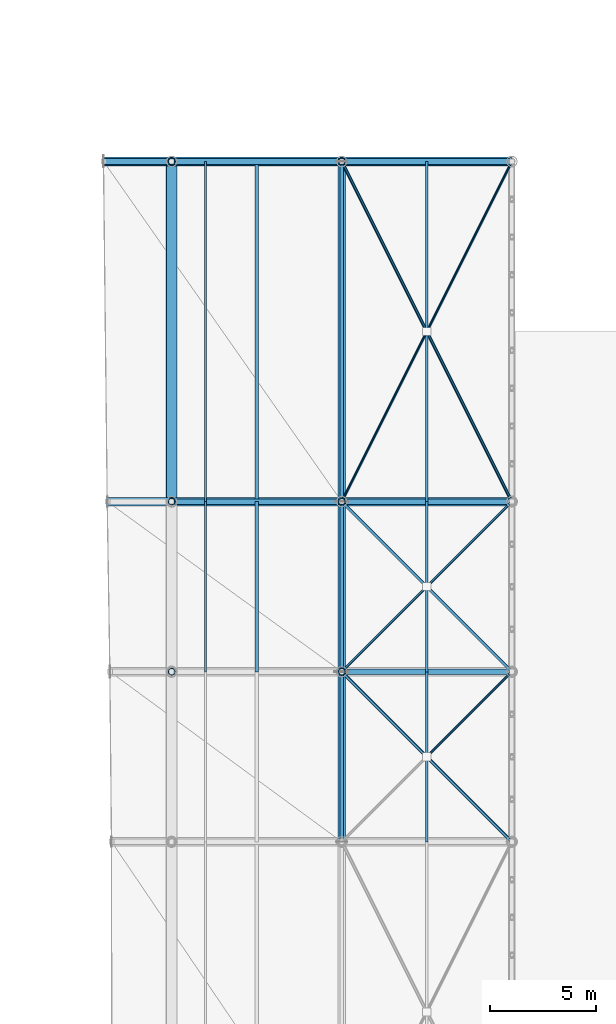
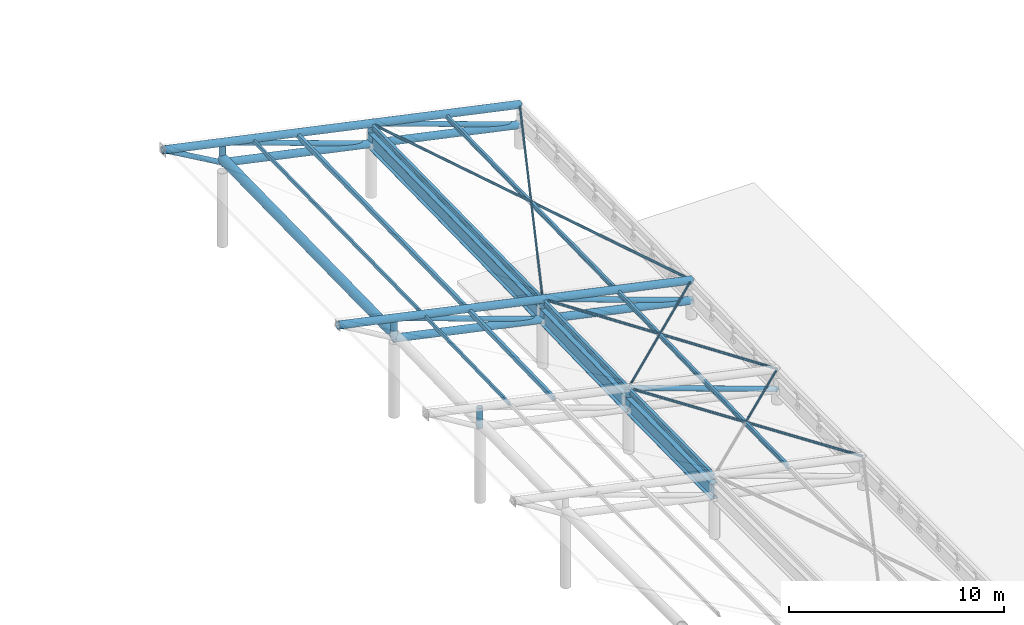
# One storey, part 17 of 41: 34 members, 4 beams.
"""IFC4 building model written with IfcOpenShell, lengths in metres."""

from ifc_helpers import new_model, si_unit, direction, frame, origin, origin_2d, place, context, subcontext, project, spatial, hollow_rectangle, hollow_circle, i_section, extrude, material, material_profile, profile_set, type_object, element, save


model = new_model("IFC4")

# Units and contexts
model_context = context("Model", 3, precision=1e-05, world=origin(), true_north=direction((0.0, 1.0)))
body_context = subcontext(model_context, "Body", "Model", "MODEL_VIEW")
ifc_project = project(units=[si_unit("LENGTHUNIT", "METRE"), si_unit("AREAUNIT", "SQUARE_METRE"), si_unit("VOLUMEUNIT", "CUBIC_METRE"), si_unit("PLANEANGLEUNIT", "RADIAN"), si_unit("MASSUNIT", "GRAM", prefix="KILO")], contexts=[model_context])

# Site, building, storey
site_placement = place(None, origin())
site = spatial("IfcSite", under=ifc_project, at=site_placement, CompositionType="ELEMENT")
building_placement = place(site_placement, origin())
building = spatial("IfcBuilding", under=site, at=building_placement, Name="Haebicheon Civic Stadium", CompositionType="ELEMENT")
storey_placement = place(building_placement, frame((0.0, 0.0, 27.0)))
storey = spatial("IfcBuildingStorey", under=building, at=storey_placement, Name="L07", CompositionType="ELEMENT", Elevation=27.0)

# Members
ifc_material_1 = material(Name="White painted steel SM490", Category="steel")
ifc_material_profile_1 = material_profile(ifc_material_1, hollow_circle(Radius=0.05712890625, WallThickness=0.006103515625, at=origin_2d()), Name="CHS-114.3x6.0")
ifc_profile_set_1 = profile_set([ifc_material_profile_1], Name="White painted steel SM490")
member_type_1 = type_object("IfcMemberType", Name="BRC-CHS114", PredefinedType="BRACE", material=ifc_profile_set_1)
member_1_placement = place(storey_placement, frame((152.0, 112.0, 1.89208984375), z_axis=(-0.700177329189, -0.700177329189, 0.13965462892), x_axis=(0.707106781187, -0.707106781187, 0.0)))
element("IfcMember", 1, at=member_1_placement, inside=storey, type_object=member_type_1, material=ifc_profile_set_1, Name="BR114 diagonal brace CAN-EAST canopy bay 6 B1", PredefinedType="BRACE", context=body_context, shape_type="SweptSolid", body=[
    extrude(hollow_circle(Radius=0.05712890625, WallThickness=0.006103515625, at=origin_2d()), origin(), (0.0, 0.0, 1.0), 5.641357421875),
])
for number, where, z_axis, x_axis, name in (
    (2, (152.0, 120.0, 2.097900390625), (-0.70086676176, -0.70086676176, 0.132557778045), (0.707106781187, -0.707106781187, 0.0), "BR114 diagonal brace CAN-EAST canopy bay 7 B1"),
    (3, (147.949951171875, 115.949951171875, 2.864990234375), (-0.70086676176, -0.70086676176, 0.132557778045), (0.707106781187, -0.707106781187, 0.0), "BR114 diagonal brace CAN-EAST canopy bay 7 B2"),
):
    element("IfcMember", number, at=place(storey_placement, frame(where, z_axis=z_axis, x_axis=x_axis)), inside=storey, type_object=member_type_1, material=ifc_profile_set_1, Name=name, PredefinedType="BRACE", context=body_context, shape_type="SweptSolid", body=[
        extrude(hollow_circle(Radius=0.05712890625, WallThickness=0.006103515625, at=origin_2d()), origin(), (0.0, 0.0, 1.0), 5.6357421875),
    ])
for number, where, z_axis, x_axis, name in (
    (4, (152.0, 136.0, 2.386962890625), (-0.445792682434, -0.891585364869, 0.079651876564), (0.894427191, -0.4472135955, 0.0), "BR114 diagonal brace CAN-EAST canopy bay 8 B1"),
    (5, (147.968017578125, 127.93603515625, 3.10791015625), (-0.445787808665, -0.891575617331, 0.079788145906), (0.894427191, -0.4472135955, 0.0), "BR114 diagonal brace CAN-EAST canopy bay 8 B2"),
):
    element("IfcMember", number, at=place(storey_placement, frame(where, z_axis=z_axis, x_axis=x_axis)), inside=storey, type_object=member_type_1, material=ifc_profile_set_1, Name=name, PredefinedType="BRACE", context=body_context, shape_type="SweptSolid", body=[
        extrude(hollow_circle(Radius=0.05712890625, WallThickness=0.006103515625, at=origin_2d()), origin(), (0.0, 0.0, 1.0), 8.901123046875),
    ])
ifc_material_2 = material(Name="White painted steel SM490", Category="steel")
ifc_material_profile_2 = material_profile(ifc_material_2, hollow_circle(Radius=0.06982421875, WallThickness=0.006591796875, at=origin_2d()), Name="CHS-139.8x6.6")
ifc_profile_set_2 = profile_set([ifc_material_profile_2], Name="White painted steel SM490")
member_type_2 = type_object("IfcMemberType", Name="BRC-CHS139", PredefinedType="BRACE", material=ifc_profile_set_2)
member_2_placement = place(storey_placement, frame((152.0, 104.0, 1.76806640625), z_axis=(-0.697897728551, 0.697897728551, 0.160864915275), x_axis=(-0.707106781187, -0.707106781187, 0.0)))
element("IfcMember", 6, at=member_2_placement, inside=storey, type_object=member_type_2, material=ifc_profile_set_2, Name="BR139 diagonal brace CAN-EAST canopy bay 6 A", PredefinedType="BRACE", context=body_context, shape_type="SweptSolid", body=[
    extrude(hollow_circle(Radius=0.06982421875, WallThickness=0.006591796875, at=origin_2d()), origin(), (0.0, 0.0, 1.0), 11.462890625),
])
member_3_placement = place(storey_placement, frame((152.0, 112.0, 1.89208984375), z_axis=(-0.697077900952, 0.697077900952, 0.16782371706), x_axis=(-0.707106781187, -0.707106781187, 0.0)))
element("IfcMember", 7, at=member_3_placement, inside=storey, type_object=member_type_2, material=ifc_profile_set_2, Name="BR139 diagonal brace CAN-EAST canopy bay 7 A", PredefinedType="BRACE", context=body_context, shape_type="SweptSolid", body=[
    extrude(hollow_circle(Radius=0.06982421875, WallThickness=0.006591796875, at=origin_2d()), origin(), (0.0, 0.0, 1.0), 11.4765625),
])
member_4_placement = place(storey_placement, frame((152.0, 120.0, 2.097900390625), z_axis=(-0.44441960811, 0.88883921622, 0.111606718602), x_axis=(-0.894427191, -0.4472135955, 0.0)))
element("IfcMember", 8, at=member_4_placement, inside=storey, type_object=member_type_2, material=ifc_profile_set_2, Name="BR139 diagonal brace CAN-EAST canopy bay 8 A", PredefinedType="BRACE", context=body_context, shape_type="SweptSolid", body=[
    extrude(hollow_circle(Radius=0.06982421875, WallThickness=0.006591796875, at=origin_2d()), origin(), (0.0, 0.0, 1.0), 18.0009765625),
])
ifc_material_3 = material(Name="White painted steel SM490", Category="steel")
ifc_material_profile_3 = material_profile(ifc_material_3, hollow_circle(Radius=0.1337890625, WallThickness=0.011962890625, at=origin_2d()), Name="CHS-267.4x12.0")
ifc_profile_set_3 = profile_set([ifc_material_profile_3], Name="White painted steel SM490")
member_type_3 = type_object("IfcMemberType", Name="BRC-CHS267", PredefinedType="BRACE", material=ifc_profile_set_3)
for number, where, z_axis, x_axis, name in (
    (9, (152.0, 112.0, 0.741943359375), (-0.941257424358, 0.0, 0.337689888939), (0.0, -1.0, 0.0), "BR267 diagonal brace CAN-EAST truss 7 D1"),
    (10, (152.0, 120.0, 0.947998046875), (-0.941257424358, 0.0, 0.337689888939), (0.0, -1.0, 0.0), "BR267 diagonal brace CAN-EAST truss 8 D1"),
    (11, (144.0, 120.0, 2.66796875), (-0.941257424358, 0.0, 0.337689888939), (0.0, -1.0, 0.0), "BR267 diagonal brace CAN-EAST truss 8 D2"),
):
    element("IfcMember", number, at=place(storey_placement, frame(where, z_axis=z_axis, x_axis=x_axis)), inside=storey, type_object=member_type_3, material=ifc_profile_set_3, Name=name, PredefinedType="BRACE", context=body_context, shape_type="SweptSolid", body=[
        extrude(hollow_circle(Radius=0.1337890625, WallThickness=0.011962890625, at=origin_2d()), origin(), (0.0, 0.0, 1.0), 8.499267578125),
    ])
member_5_placement = place(storey_placement, frame((135.87890625, 136.0, 4.7470703125), z_axis=(-0.867212955161, 0.0, 0.497937436232), x_axis=(0.0, -1.0, 0.0)))
element("IfcMember", 12, at=member_5_placement, inside=storey, type_object=member_type_3, material=ifc_profile_set_3, Name="BR267 diagonal brace CAN-EAST truss 9 tip", PredefinedType="BRACE", context=body_context, shape_type="SweptSolid", body=[
    extrude(hollow_circle(Radius=0.1337890625, WallThickness=0.011962890625, at=origin_2d()), origin(), (0.0, 0.0, 1.0), 3.55029296875),
])
for number, where, z_axis, x_axis, name in (
    (13, (152.0, 136.0, 1.237060546875), (-0.9412665544, 0.0, 0.3376644393), (0.0, -1.0, 0.0), "BR267 diagonal brace CAN-EAST truss 9 D1"),
    (14, (144.0, 136.0, 2.95703125), (-0.9412665544, 0.0, 0.3376644393), (0.0, -1.0, 0.0), "BR267 diagonal brace CAN-EAST truss 9 D2"),
):
    element("IfcMember", number, at=place(storey_placement, frame(where, z_axis=z_axis, x_axis=x_axis)), inside=storey, type_object=member_type_3, material=ifc_profile_set_3, Name=name, PredefinedType="BRACE", context=body_context, shape_type="SweptSolid", body=[
        extrude(hollow_circle(Radius=0.1337890625, WallThickness=0.011962890625, at=origin_2d()), origin(), (0.0, 0.0, 1.0), 8.499267578125),
    ])
ifc_material_4 = material(Name="White painted steel SM490", Category="steel")
ifc_material_profile_4 = material_profile(ifc_material_4, hollow_circle(Radius=0.203125, WallThickness=0.01806640625, at=origin_2d()), Name="CHS-406.4x18.0")
ifc_profile_set_4 = profile_set([ifc_material_profile_4], Name="White painted steel SM490")
member_type_4 = type_object("IfcMemberType", Name="CHD-CHS406", PredefinedType="CHORD", material=ifc_profile_set_4)
member_6_placement = place(storey_placement, frame((152.0, 120.0, 2.097900390625), z_axis=(-0.977661924231, 0.0, 0.210183638537), x_axis=(0.0, -1.0, 0.0)))
element("IfcMember", 15, at=member_6_placement, inside=storey, type_object=member_type_4, material=ifc_profile_set_4, Name="CH406 truss chord CAN-EAST 8 top", PredefinedType="CHORD", context=body_context, shape_type="SweptSolid", body=[
    extrude(hollow_circle(Radius=0.203125, WallThickness=0.01806640625, at=origin_2d()), origin(), (0.0, 0.0, 1.0), 19.45947265625),
])
member_7_placement = place(storey_placement, frame((152.0, 120.0, 0.947998046875), z_axis=(-0.977659849808, 0.0, 0.210193287411), x_axis=(0.0, -1.0, 0.0)))
element("IfcMember", 16, at=member_7_placement, inside=storey, type_object=member_type_4, material=ifc_profile_set_4, Name="CH406 truss chord CAN-EAST 8 bottom", PredefinedType="CHORD", context=body_context, shape_type="SweptSolid", body=[
    extrude(hollow_circle(Radius=0.203125, WallThickness=0.01806640625, at=origin_2d()), origin(), (0.0, 0.0, 1.0), 16.36572265625),
])
member_8_placement = place(storey_placement, frame((152.0, 136.0, 2.386962890625), z_axis=(-0.977659739959, 0.0, 0.210193798345), x_axis=(0.0, -1.0, 0.0)))
element("IfcMember", 17, at=member_8_placement, inside=storey, type_object=member_type_4, material=ifc_profile_set_4, Name="CH406 truss chord CAN-EAST 9 top", PredefinedType="CHORD", context=body_context, shape_type="SweptSolid", body=[
    extrude(hollow_circle(Radius=0.203125, WallThickness=0.01806640625, at=origin_2d()), origin(), (0.0, 0.0, 1.0), 19.638671875),
])
member_9_placement = place(storey_placement, frame((152.0, 136.0, 1.237060546875), z_axis=(-0.977659849808, 0.0, 0.210193287411), x_axis=(0.0, -1.0, 0.0)))
element("IfcMember", 18, at=member_9_placement, inside=storey, type_object=member_type_4, material=ifc_profile_set_4, Name="CH406 truss chord CAN-EAST 9 bottom", PredefinedType="CHORD", context=body_context, shape_type="SweptSolid", body=[
    extrude(hollow_circle(Radius=0.203125, WallThickness=0.01806640625, at=origin_2d()), origin(), (0.0, 0.0, 1.0), 16.36572265625),
])
ifc_material_5 = material(Name="White painted steel SM490", Category="steel")
ifc_material_profile_5 = material_profile(ifc_material_5, hollow_rectangle(XDim=0.10009765625, YDim=0.199951171875, WallThickness=0.008056640625, at=origin_2d()), Name="RHS-200x100x8.0")
ifc_profile_set_5 = profile_set([ifc_material_profile_5], Name="White painted steel SM490")
member_type_5 = type_object("IfcMemberType", Name="PRL-RHS200", PredefinedType="RAFTER", material=ifc_profile_set_5)
member_10_placement = place(storey_placement, frame((137.60009765625, 112.0, 4.946044921875), z_axis=(0.0, 0.999668457655, 0.025748296456), x_axis=(-1.0, 0.0, 0.0)))
element("IfcMember", 19, at=member_10_placement, inside=storey, type_object=member_type_5, material=ifc_profile_set_5, Name="CAN-EAST canopy purlin bay 7 (90%)", PredefinedType="RAFTER", context=body_context, shape_type="SweptSolid", body=[
    extrude(hollow_rectangle(XDim=0.10009765625, YDim=0.199951171875, WallThickness=0.008056640625, at=origin_2d()), origin(), (0.0, 0.0, 1.0), 8.002685546875),
])
member_11_placement = place(storey_placement, frame((137.60009765625, 120.0, 5.152099609375), z_axis=(0.0, 0.999837117842, 0.018048207251), x_axis=(-1.0, 0.0, 0.0)))
element("IfcMember", 20, at=member_11_placement, inside=storey, type_object=member_type_5, material=ifc_profile_set_5, Name="CAN-EAST canopy purlin bay 8 (90%)", PredefinedType="RAFTER", context=body_context, shape_type="SweptSolid", body=[
    extrude(hollow_rectangle(XDim=0.10009765625, YDim=0.199951171875, WallThickness=0.008056640625, at=origin_2d()), origin(), (0.0, 0.0, 1.0), 16.002685546875),
])
ifc_material_6 = material(Name="White painted steel SM490", Category="steel")
ifc_material_profile_6 = material_profile(ifc_material_6, hollow_rectangle(XDim=0.14990234375, YDim=0.25, WallThickness=0.010009765625, at=origin_2d()), Name="RHS-250x150x10.0")
ifc_profile_set_6 = profile_set([ifc_material_profile_6], Name="White painted steel SM490")
member_type_6 = type_object("IfcMemberType", Name="PRL-RHS250", PredefinedType="PURLIN", material=ifc_profile_set_6)
member_12_placement = place(storey_placement, frame((140.0, 112.0, 4.405029296875), z_axis=(0.0, 0.999668457655, 0.025748296456), x_axis=(-1.0, 0.0, 0.0)))
element("IfcMember", 21, at=member_12_placement, inside=storey, type_object=member_type_6, material=ifc_profile_set_6, Name="CAN-EAST canopy purlin bay 7 (75%)", PredefinedType="PURLIN", context=body_context, shape_type="SweptSolid", body=[
    extrude(hollow_rectangle(XDim=0.14990234375, YDim=0.25, WallThickness=0.010009765625, at=origin_2d()), origin(), (0.0, 0.0, 1.0), 8.002685546875),
])
member_13_placement = place(storey_placement, frame((140.0, 120.0, 4.611083984375), z_axis=(0.0, 0.999837117842, 0.018048207251), x_axis=(-1.0, 0.0, 0.0)))
element("IfcMember", 22, at=member_13_placement, inside=storey, type_object=member_type_6, material=ifc_profile_set_6, Name="CAN-EAST canopy purlin bay 8 (75%)", PredefinedType="PURLIN", context=body_context, shape_type="SweptSolid", body=[
    extrude(hollow_rectangle(XDim=0.14990234375, YDim=0.25, WallThickness=0.010009765625, at=origin_2d()), origin(), (0.0, 0.0, 1.0), 16.002685546875),
])
ifc_material_7 = material(Name="White painted steel SM490", Category="steel")
ifc_material_profile_7 = material_profile(ifc_material_7, i_section(OverallWidth=0.125, OverallDepth=0.25, WebThickness=0.006103515625, FlangeThickness=0.009033203125, at=origin_2d()), Name="H-250x125x6x9")
ifc_profile_set_7 = profile_set([ifc_material_profile_7], Name="White painted steel SM490")
member_type_7 = type_object("IfcMemberType", Name="PRL-ST-H250", PredefinedType="PURLIN", material=ifc_profile_set_7)
member_14_placement = place(storey_placement, frame((148.0, 104.0, 2.56103515625), z_axis=(0.0, 0.999879851243, 0.01550106703), x_axis=(-1.0, 0.0, 0.0)))
element("IfcMember", 23, at=member_14_placement, inside=storey, type_object=member_type_7, material=ifc_profile_set_7, Name="CAN-EAST canopy purlin bay 6 (25%)", PredefinedType="PURLIN", context=body_context, shape_type="SweptSolid", body=[
    extrude(i_section(OverallWidth=0.125, OverallDepth=0.25, WebThickness=0.006103515625, FlangeThickness=0.009033203125, at=origin_2d()), origin(), (0.0, 0.0, 1.0), 8.0009765625),
])
member_15_placement = place(storey_placement, frame((148.0, 112.0, 2.68505859375), z_axis=(0.0, 0.999668457655, 0.025748296456), x_axis=(-1.0, 0.0, 0.0)))
element("IfcMember", 24, at=member_15_placement, inside=storey, type_object=member_type_7, material=ifc_profile_set_7, Name="CAN-EAST canopy purlin bay 7 (25%)", PredefinedType="PURLIN", context=body_context, shape_type="SweptSolid", body=[
    extrude(i_section(OverallWidth=0.125, OverallDepth=0.25, WebThickness=0.006103515625, FlangeThickness=0.009033203125, at=origin_2d()), origin(), (0.0, 0.0, 1.0), 8.002685546875),
])
member_16_placement = place(storey_placement, frame((148.0, 120.0, 2.89111328125), z_axis=(0.0, 0.999837117842, 0.018048207251), x_axis=(-1.0, 0.0, 0.0)))
element("IfcMember", 25, at=member_16_placement, inside=storey, type_object=member_type_7, material=ifc_profile_set_7, Name="CAN-EAST canopy purlin bay 8 (25%)", PredefinedType="PURLIN", context=body_context, shape_type="SweptSolid", body=[
    extrude(i_section(OverallWidth=0.125, OverallDepth=0.25, WebThickness=0.006103515625, FlangeThickness=0.009033203125, at=origin_2d()), origin(), (0.0, 0.0, 1.0), 16.002685546875),
])
ifc_material_8 = material(Name="White painted steel SM490", Category="steel")
ifc_material_profile_8 = material_profile(ifc_material_8, i_section(OverallWidth=0.14990234375, OverallDepth=0.300048828125, WebThickness=0.006591796875, FlangeThickness=0.009033203125, at=origin_2d()), Name="H-300x150x6.5x9")
ifc_profile_set_8 = profile_set([ifc_material_profile_8], Name="White painted steel SM490")
member_type_8 = type_object("IfcMemberType", Name="PRL-ST-H300", PredefinedType="PURLIN", material=ifc_profile_set_8)
member_17_placement = place(storey_placement, frame((144.0, 104.0, 3.39599609375), z_axis=(0.0, 0.999879851243, 0.01550106703), x_axis=(-1.0, 0.0, 0.0)))
element("IfcMember", 26, at=member_17_placement, inside=storey, type_object=member_type_8, material=ifc_profile_set_8, Name="CAN-EAST canopy purlin bay 6 (50%)", PredefinedType="PURLIN", context=body_context, shape_type="SweptSolid", body=[
    extrude(i_section(OverallWidth=0.14990234375, OverallDepth=0.300048828125, WebThickness=0.006591796875, FlangeThickness=0.009033203125, at=origin_2d()), origin(), (0.0, 0.0, 1.0), 8.0009765625),
])
member_18_placement = place(storey_placement, frame((144.0, 112.0, 3.52001953125), z_axis=(0.0, 0.999668457655, 0.025748296456), x_axis=(-1.0, 0.0, 0.0)))
element("IfcMember", 27, at=member_18_placement, inside=storey, type_object=member_type_8, material=ifc_profile_set_8, Name="CAN-EAST canopy purlin bay 7 (50%)", PredefinedType="PURLIN", context=body_context, shape_type="SweptSolid", body=[
    extrude(i_section(OverallWidth=0.14990234375, OverallDepth=0.300048828125, WebThickness=0.006591796875, FlangeThickness=0.009033203125, at=origin_2d()), origin(), (0.0, 0.0, 1.0), 8.002685546875),
])
member_19_placement = place(storey_placement, frame((144.0, 120.0, 3.72607421875), z_axis=(0.0, 0.999837117842, 0.018048207251), x_axis=(-1.0, 0.0, 0.0)))
element("IfcMember", 28, at=member_19_placement, inside=storey, type_object=member_type_8, material=ifc_profile_set_8, Name="CAN-EAST canopy purlin bay 8 (50%)", PredefinedType="PURLIN", context=body_context, shape_type="SweptSolid", body=[
    extrude(i_section(OverallWidth=0.14990234375, OverallDepth=0.300048828125, WebThickness=0.006591796875, FlangeThickness=0.009033203125, at=origin_2d()), origin(), (0.0, 0.0, 1.0), 16.002685546875),
])

# Beams
ifc_material_9 = material(Name="White painted steel SM490", Category="steel")
ifc_material_profile_9 = material_profile(ifc_material_9, hollow_circle(Radius=0.25390625, WallThickness=0.02490234375, at=origin_2d()), Name="CHS-508.0x25.0")
ifc_profile_set_9 = profile_set([ifc_material_profile_9], Name="White painted steel SM490")
beam_type_1 = type_object("IfcBeamType", Name="RB-ST-CHS508", PredefinedType="USERDEFINED", material=ifc_profile_set_9)
beam_1_placement = place(storey_placement, frame((136.0, 120.0, 4.637939453125), z_axis=(0.0, 0.999836842422, 0.018063458579), x_axis=(-1.0, 0.0, 0.0)))
element("IfcBeam", 29, at=beam_1_placement, inside=storey, type_object=beam_type_1, material=ifc_profile_set_9, Name="CAN-EAST polygonal ring beam RB-PIR bay 8", ObjectType="RING BEAM", PredefinedType="USERDEFINED", context=body_context, shape_type="SweptSolid", body=[
    extrude(hollow_circle(Radius=0.25390625, WallThickness=0.02490234375, at=origin_2d()), origin(), (0.0, 0.0, 1.0), 16.002685546875),
])
ifc_material_10 = material(Name="White painted steel SM490", Category="steel")
ifc_material_profile_10 = material_profile(ifc_material_10, i_section(OverallWidth=0.35009765625, OverallDepth=0.89990234375, WebThickness=0.01806640625, FlangeThickness=0.031982421875, at=origin_2d()), Name="H-900x350x18x32")
ifc_profile_set_10 = profile_set([ifc_material_profile_10], Name="White painted steel SM490")
beam_type_2 = type_object("IfcBeamType", Name="RB-ST-H900A", PredefinedType="USERDEFINED", material=ifc_profile_set_10)
beam_2_placement = place(storey_placement, frame((144.0, 104.0, 2.587890625), z_axis=(0.0, 0.999879851243, 0.01550106703), x_axis=(-1.0, 0.0, 0.0)))
element("IfcBeam", 30, at=beam_2_placement, inside=storey, type_object=beam_type_2, material=ifc_profile_set_10, Name="CAN-EAST polygonal ring beam RB-PIV bay 6", ObjectType="RING BEAM", PredefinedType="USERDEFINED", context=body_context, shape_type="SweptSolid", body=[
    extrude(i_section(OverallWidth=0.35009765625, OverallDepth=0.89990234375, WebThickness=0.01806640625, FlangeThickness=0.031982421875, at=origin_2d()), origin(), (0.0, 0.0, 1.0), 8.0009765625),
])
beam_3_placement = place(storey_placement, frame((144.0, 112.0, 2.7119140625), z_axis=(0.0, 0.999668457655, 0.025748296456), x_axis=(-1.0, 0.0, 0.0)))
element("IfcBeam", 31, at=beam_3_placement, inside=storey, type_object=beam_type_2, material=ifc_profile_set_10, Name="CAN-EAST polygonal ring beam RB-PIV bay 7", ObjectType="RING BEAM", PredefinedType="USERDEFINED", context=body_context, shape_type="SweptSolid", body=[
    extrude(i_section(OverallWidth=0.35009765625, OverallDepth=0.89990234375, WebThickness=0.01806640625, FlangeThickness=0.031982421875, at=origin_2d()), origin(), (0.0, 0.0, 1.0), 8.002685546875),
])
beam_4_placement = place(storey_placement, frame((144.0, 120.0, 2.91796875), z_axis=(0.0, 0.999836842422, 0.018063458579), x_axis=(-1.0, 0.0, 0.0)))
element("IfcBeam", 32, at=beam_4_placement, inside=storey, type_object=beam_type_2, material=ifc_profile_set_10, Name="CAN-EAST polygonal ring beam RB-PIV bay 8", ObjectType="RING BEAM", PredefinedType="USERDEFINED", context=body_context, shape_type="SweptSolid", body=[
    extrude(i_section(OverallWidth=0.35009765625, OverallDepth=0.89990234375, WebThickness=0.01806640625, FlangeThickness=0.031982421875, at=origin_2d()), origin(), (0.0, 0.0, 1.0), 16.002685546875),
])

# Members
ifc_material_11 = material(Name="White painted steel SM490", Category="steel")
ifc_material_profile_11 = material_profile(ifc_material_11, hollow_circle(Radius=0.1591796875, WallThickness=0.013916015625, at=origin_2d()), Name="CHS-318.5x14.0")
ifc_profile_set_11 = profile_set([ifc_material_profile_11], Name="White painted steel SM490")
member_type_9 = type_object("IfcMemberType", Name="STR-CHS318", PredefinedType="STRUT", material=ifc_profile_set_11)
for number, where, z_axis, x_axis, name in (
    (33, (144.0, 112.0, 2.4619140625), (0.0, 0.0, 1.0), (1.0, 0.0, 0.0), "ST318 web strut CAN-EAST truss 7 VP"),
    (34, (136.0, 112.0, 4.181884765625), (0.0, 0.0, 1.0), (1.0, 0.0, 0.0), "ST318 web strut CAN-EAST truss 7 VR"),
    (35, (144.0, 120.0, 2.66796875), (0.0, 0.0, 1.0), (1.0, 0.0, 0.0), "ST318 web strut CAN-EAST truss 8 VP"),
    (36, (136.0, 120.0, 4.387939453125), (0.0, 0.0, 1.0), (1.0, 0.0, 0.0), "ST318 web strut CAN-EAST truss 8 VR"),
):
    element("IfcMember", number, at=place(storey_placement, frame(where, z_axis=z_axis, x_axis=x_axis)), inside=storey, type_object=member_type_9, material=ifc_profile_set_11, Name=name, PredefinedType="STRUT", context=body_context, shape_type="SweptSolid", body=[
        extrude(hollow_circle(Radius=0.1591796875, WallThickness=0.013916015625, at=origin_2d()), origin(), (0.0, 0.0, 1.0), 1.150146484375),
    ])
for number, where, z_axis, x_axis, name in (
    (37, (144.0, 136.0, 2.95703125), (0.0, 0.0, 1.0), (1.0, 0.0, 0.0), "ST318 web strut CAN-EAST truss 9 VP"),
    (38, (136.0, 136.0, 4.677001953125), (0.0, 0.0, 1.0), (1.0, 0.0, 0.0), "ST318 web strut CAN-EAST truss 9 VR"),
):
    element("IfcMember", number, at=place(storey_placement, frame(where, z_axis=z_axis, x_axis=x_axis)), inside=storey, type_object=member_type_9, material=ifc_profile_set_11, Name=name, PredefinedType="STRUT", context=body_context, shape_type="SweptSolid", body=[
        extrude(hollow_circle(Radius=0.1591796875, WallThickness=0.013916015625, at=origin_2d()), origin(), (0.0, 0.0, 1.0), 1.14990234375),
    ])

save(model, "model.ifc")
